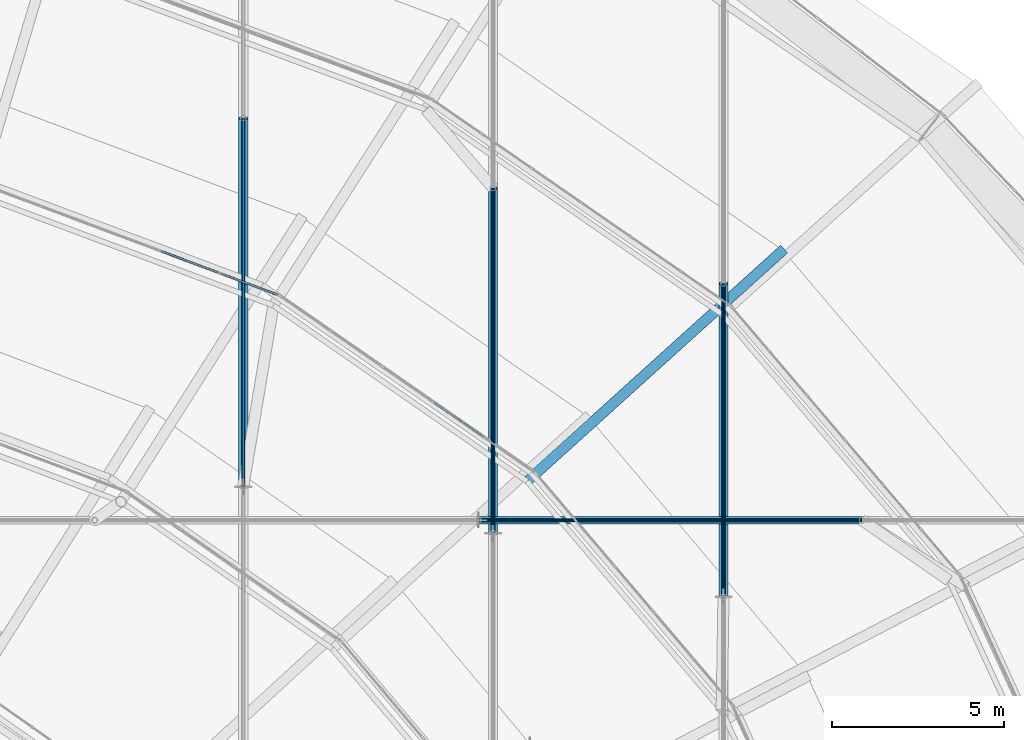
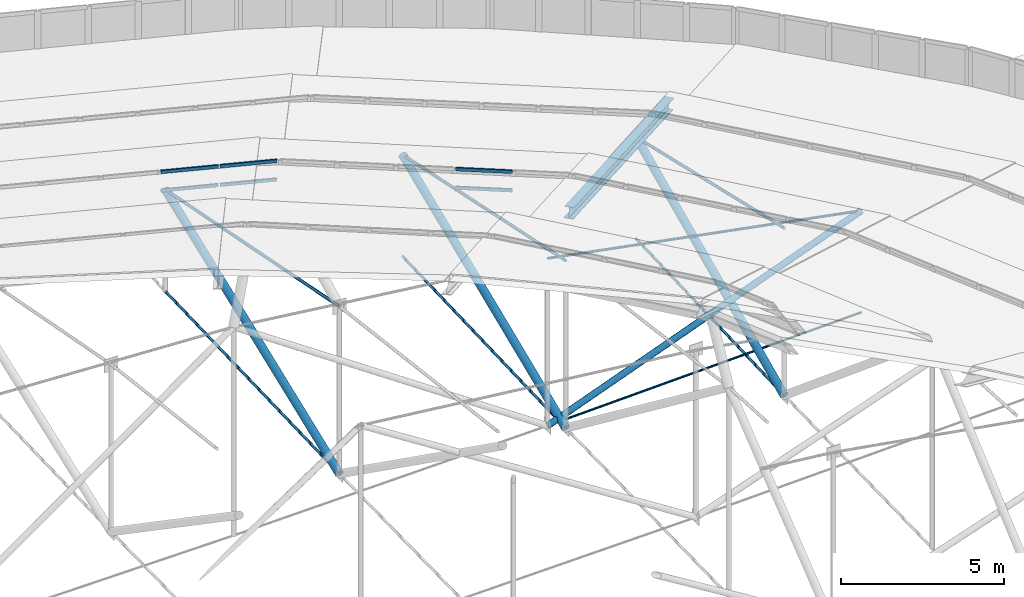
# One storey, part 118 of 173: 19 members, 2 elements without a shape of their own.
"""IFC4 building model written with IfcOpenShell, lengths in metres."""

from ifc_helpers import new_model, si_unit, direction, frame, origin, origin_2d, place, context, subcontext, project, spatial, rectangle, circle, hollow_circle, i_section, extrude, material, material_profile, profile_set, type_object, element, aggregate, save


model = new_model("IFC4")

# Units and contexts
model_context = context("Model", 3, precision=1e-05, world=origin(), true_north=direction((0.0, 1.0)))
body_context = subcontext(model_context, "Body", "Model", "MODEL_VIEW")
ifc_project = project(units=[si_unit("LENGTHUNIT", "METRE"), si_unit("AREAUNIT", "SQUARE_METRE"), si_unit("VOLUMEUNIT", "CUBIC_METRE"), si_unit("PLANEANGLEUNIT", "RADIAN"), si_unit("MASSUNIT", "GRAM", prefix="KILO")], contexts=[model_context])

# Site, building, storey
site_placement = place(None, origin())
site = spatial("IfcSite", under=ifc_project, at=site_placement, CompositionType="ELEMENT")
building_placement = place(site_placement, origin())
building = spatial("IfcBuilding", under=site, at=building_placement, Name="Glasvene Arena", CompositionType="ELEMENT")
storey_placement = place(building_placement, frame((0.0, 0.0, 28.800048828125)))
storey = spatial("IfcBuildingStorey", under=building, at=storey_placement, Name="RF", CompositionType="ELEMENT", Elevation=28.800048828125)

# Curtain wall, members
ifc_material_1 = material(Name="Low-emissivity laminated double glazing", Category="glass")
curtain_wall_type_1 = type_object("IfcCurtainWallType", Name="CW-PET2-905x75", PredefinedType="USERDEFINED", material=ifc_material_1)
curtain_wall_1_placement = place(storey_placement, frame((115.93505859375, 94.795654296875, 0.0)))
curtain_wall_1 = element("IfcCurtainWall", 1, at=curtain_wall_1_placement, inside=storey, type_object=curtain_wall_type_1, Name="Petal ring 2-3 clerestory curtain wall 04", ObjectType="CURTAIN WALL", PredefinedType="USERDEFINED")
ifc_material_2 = material(Name="Anodised architectural aluminium", Category="aluminium")
ifc_material_profile_1 = material_profile(ifc_material_2, rectangle(XDim=0.050048828125, YDim=0.1201171875, at=origin_2d()), Name="ALU TRANSOM 50x120")
ifc_profile_set_1 = profile_set([ifc_material_profile_1], Name="Anodised architectural aluminium")
member_type_1 = type_object("IfcMemberType", Name="CW-TRN-120", PredefinedType="USERDEFINED", material=ifc_profile_set_1)
member_1_placement = place(storey_placement, frame((114.427490234375, 95.84130859375, 5.204833984375), z_axis=(-0.821727354624, 0.569880824965, 0.0), x_axis=(-0.569880824965, -0.821727354624, 0.0)))
member_1 = element("IfcMember", 2, at=member_1_placement, type_object=member_type_1, Name="CW-090 transom 2.1", ObjectType="TRANSOM", PredefinedType="USERDEFINED", context=body_context, shape_type="SweptSolid", body=[
    extrude(rectangle(XDim=0.050048828125, YDim=0.1201171875, at=origin_2d()), origin(), (0.0, 0.0, 1.0), 1.759521484375),
])
member_2_placement = place(storey_placement, frame((114.427490234375, 95.84130859375, 5.905029296875), z_axis=(-0.821727354624, 0.569880824965, 0.0), x_axis=(-0.569880824965, -0.821727354624, 0.0)))
member_2 = element("IfcMember", 3, at=member_2_placement, type_object=member_type_1, Name="CW-090 transom 2.2", ObjectType="TRANSOM", PredefinedType="USERDEFINED", context=body_context, shape_type="SweptSolid", body=[
    extrude(rectangle(XDim=0.050048828125, YDim=0.1201171875, at=origin_2d()), origin(), (0.0, 0.0, 1.0), 1.759521484375),
])
aggregate(curtain_wall_1, [member_1, member_2])

curtain_wall_type_2 = type_object("IfcCurtainWallType", Name="CW-PET2-925x75", PredefinedType="USERDEFINED", material=ifc_material_1)
curtain_wall_2_placement = place(storey_placement, frame((108.5, 99.952392578125, 0.0)))
curtain_wall_2 = element("IfcCurtainWall", 4, at=curtain_wall_2_placement, inside=storey, type_object=curtain_wall_type_2, Name="Petal ring 2-3 clerestory curtain wall 05", ObjectType="CURTAIN WALL", PredefinedType="USERDEFINED")
member_3_placement = place(storey_placement, frame((108.453125, 99.969970703125, 5.204833984375), z_axis=(-0.936504385007, 0.350655866715, 0.0), x_axis=(-0.350655866715, -0.936504385007, 0.0)))
member_3 = element("IfcMember", 5, at=member_3_placement, type_object=member_type_1, Name="CW-091 transom 1.1", ObjectType="TRANSOM", PredefinedType="USERDEFINED", context=body_context, shape_type="SweptSolid", body=[
    extrude(rectangle(XDim=0.050048828125, YDim=0.1201171875, at=origin_2d()), origin(), (0.0, 0.0, 1.0), 1.77392578125),
])
member_4_placement = place(storey_placement, frame((108.453125, 99.969970703125, 5.905029296875), z_axis=(-0.936504385007, 0.350655866715, 0.0), x_axis=(-0.350655866715, -0.936504385007, 0.0)))
member_4 = element("IfcMember", 6, at=member_4_placement, type_object=member_type_1, Name="CW-091 transom 1.2", ObjectType="TRANSOM", PredefinedType="USERDEFINED", context=body_context, shape_type="SweptSolid", body=[
    extrude(rectangle(XDim=0.050048828125, YDim=0.1201171875, at=origin_2d()), origin(), (0.0, 0.0, 1.0), 1.77392578125),
])
member_5_placement = place(storey_placement, frame((106.744873046875, 100.609619140625, 5.204833984375), z_axis=(-0.936501948844, 0.350662372962, 0.0), x_axis=(-0.350662372962, -0.936501948844, 0.0)))
member_5 = element("IfcMember", 7, at=member_5_placement, type_object=member_type_1, Name="CW-091 transom 2.1", ObjectType="TRANSOM", PredefinedType="USERDEFINED", context=body_context, shape_type="SweptSolid", body=[
    extrude(rectangle(XDim=0.050048828125, YDim=0.1201171875, at=origin_2d()), origin(), (0.0, 0.0, 1.0), 1.799072265625),
])
member_6_placement = place(storey_placement, frame((106.744873046875, 100.609619140625, 5.905029296875), z_axis=(-0.936501948844, 0.350662372962, 0.0), x_axis=(-0.350662372962, -0.936501948844, 0.0)))
member_6 = element("IfcMember", 8, at=member_6_placement, type_object=member_type_1, Name="CW-091 transom 2.2", ObjectType="TRANSOM", PredefinedType="USERDEFINED", context=body_context, shape_type="SweptSolid", body=[
    extrude(rectangle(XDim=0.050048828125, YDim=0.1201171875, at=origin_2d()), origin(), (0.0, 0.0, 1.0), 1.799072265625),
])
aggregate(curtain_wall_2, [member_3, member_4, member_5, member_6])

# Members
ifc_material_3 = material(Name="High-strength steel spiral strand S460", Category="steel")
ifc_material_profile_2 = material_profile(ifc_material_3, circle(Radius=0.052490234375, at=origin_2d()), Name="LCSS D105")
ifc_profile_set_2 = profile_set([ifc_material_profile_2], Name="High-strength steel spiral strand S460")
member_type_2 = type_object("IfcMemberType", Name="MB-CABLE-105", PredefinedType="USERDEFINED", material=ifc_profile_set_2)
member_7_placement = place(storey_placement, frame((121.389404296875, 91.202880859375, 4.1669921875), z_axis=(0.0, 0.974258446429, -0.225433980496), x_axis=(-1.0, 0.0, 0.0)))
element("IfcMember", 9, at=member_7_placement, inside=storey, type_object=member_type_2, Name="Upper lens roof cable NS01-07", ObjectType="ROOF CABLE", PredefinedType="USERDEFINED", context=body_context, shape_type="SweptSolid", body=[
    extrude(circle(Radius=0.052490234375, at=origin_2d()), origin(), (0.0, 0.0, 1.0), 9.341796875),
])
member_8_placement = place(storey_placement, frame((114.699462890625, 93.047607421875, 4.1669921875), z_axis=(0.0, 0.978635179544, -0.205604439056), x_axis=(-1.0, 0.0, 0.0)))
element("IfcMember", 10, at=member_8_placement, inside=storey, type_object=member_type_2, Name="Upper lens roof cable NS02-07", ObjectType="ROOF CABLE", PredefinedType="USERDEFINED", context=body_context, shape_type="SweptSolid", body=[
    extrude(circle(Radius=0.052490234375, at=origin_2d()), origin(), (0.0, 0.0, 1.0), 10.24267578125),
])
member_9_placement = place(storey_placement, frame((107.45068359375, 94.398681640625, 4.1669921875), z_axis=(0.0, 0.981174571023, -0.193122917277), x_axis=(-1.0, 0.0, 0.0)))
element("IfcMember", 11, at=member_9_placement, inside=storey, type_object=member_type_2, Name="Upper lens roof cable NS03-07", ObjectType="ROOF CABLE", PredefinedType="USERDEFINED", context=body_context, shape_type="SweptSolid", body=[
    extrude(circle(Radius=0.052490234375, at=origin_2d()), origin(), (0.0, 0.0, 1.0), 10.90478515625),
])
ifc_material_profile_3 = material_profile(ifc_material_3, circle(Radius=0.03759765625, at=origin_2d()), Name="LCSS D75")
ifc_profile_set_3 = profile_set([ifc_material_profile_3], Name="High-strength steel spiral strand S460")
member_type_3 = type_object("IfcMemberType", Name="MB-CABLE-75", PredefinedType="USERDEFINED", material=ifc_profile_set_3)
member_10_placement = place(storey_placement, frame((114.275146484375, 93.4296875, -2.112548828125), z_axis=(0.999479818226, 0.0, 0.032250472225), x_axis=(0.0, 1.0, 0.0)))
element("IfcMember", 12, at=member_10_placement, inside=storey, type_object=member_type_3, Name="Lower stabilization roof cable EW07-07", ObjectType="ROOF CABLE", PredefinedType="USERDEFINED", context=body_context, shape_type="SweptSolid", body=[
    extrude(circle(Radius=0.03759765625, at=origin_2d()), origin(), (0.0, 0.0, 1.0), 11.143310546875),
])
ifc_material_profile_4 = material_profile(ifc_material_3, circle(Radius=0.044921875, at=origin_2d()), Name="LCSS D90")
ifc_profile_set_4 = profile_set([ifc_material_profile_4], Name="High-strength steel spiral strand S460")
member_type_4 = type_object("IfcMemberType", Name="MB-CABLE-90", PredefinedType="USERDEFINED", material=ifc_profile_set_4)
member_11_placement = place(storey_placement, frame((121.389404296875, 91.202880859375, -2.112548828125), z_axis=(0.0, 0.999221336832, 0.039455291392), x_axis=(-1.0, 0.0, 0.0)))
element("IfcMember", 13, at=member_11_placement, inside=storey, type_object=member_type_4, Name="Lower stabilization roof cable NS01-07", ObjectType="ROOF CABLE", PredefinedType="USERDEFINED", context=body_context, shape_type="SweptSolid", body=[
    extrude(circle(Radius=0.044921875, at=origin_2d()), origin(), (0.0, 0.0, 1.0), 9.1083984375),
])
member_12_placement = place(storey_placement, frame((114.699462890625, 93.047607421875, -2.112548828125), z_axis=(0.0, 0.999357945896, 0.035828703209), x_axis=(-1.0, 0.0, 0.0)))
element("IfcMember", 14, at=member_12_placement, inside=storey, type_object=member_type_4, Name="Lower stabilization roof cable NS02-07", ObjectType="ROOF CABLE", PredefinedType="USERDEFINED", context=body_context, shape_type="SweptSolid", body=[
    extrude(circle(Radius=0.044921875, at=origin_2d()), origin(), (0.0, 0.0, 1.0), 10.0302734375),
])
member_13_placement = place(storey_placement, frame((107.45068359375, 94.398681640625, -2.112548828125), z_axis=(0.0, 0.99943639544, 0.033569204201), x_axis=(-1.0, 0.0, 0.0)))
element("IfcMember", 15, at=member_13_placement, inside=storey, type_object=member_type_4, Name="Lower stabilization roof cable NS03-07", ObjectType="ROOF CABLE", PredefinedType="USERDEFINED", context=body_context, shape_type="SweptSolid", body=[
    extrude(circle(Radius=0.044921875, at=origin_2d()), origin(), (0.0, 0.0, 1.0), 10.70556640625),
])
member_14_placement = place(storey_placement, frame((114.275146484375, 93.4296875, 4.1669921875), z_axis=(0.982588423087, 0.0, -0.185795561883), x_axis=(0.0, 1.0, 0.0)))
element("IfcMember", 16, at=member_14_placement, inside=storey, type_object=member_type_4, Name="Upper lens roof cable EW07-07", ObjectType="ROOF CABLE", PredefinedType="USERDEFINED", context=body_context, shape_type="SweptSolid", body=[
    extrude(circle(Radius=0.044921875, at=origin_2d()), origin(), (0.0, 0.0, 1.0), 11.334716796875),
])
ifc_material_4 = material(Name="Steel S355J2", Category="steel")
ifc_material_profile_5 = material_profile(ifc_material_4, i_section(OverallWidth=0.300048828125, OverallDepth=0.39990234375, WebThickness=0.013427734375, FlangeThickness=0.02392578125, FilletRadius=0.027099609375, at=origin_2d()), Name="HEB 400")
ifc_profile_set_5 = profile_set([ifc_material_profile_5], Name="Steel S355J2")
member_type_5 = type_object("IfcMemberType", Name="MB-CHORD-HEB400", PredefinedType="CHORD", material=ifc_profile_set_5)
member_15_placement = place(storey_placement, frame((123.1123046875, 101.265625, 2.14990234375), z_axis=(-0.719067246993, -0.649574673947, 0.246971733743), x_axis=(0.670340007985, -0.742054090814, 0.0)))
element("IfcMember", 17, at=member_15_placement, inside=storey, type_object=member_type_5, Name="Petal ring 2 radial rib 04", PredefinedType="CHORD", context=body_context, shape_type="SweptSolid", body=[
    extrude(i_section(OverallWidth=0.300048828125, OverallDepth=0.39990234375, WebThickness=0.013427734375, FlangeThickness=0.02392578125, FilletRadius=0.027099609375, at=origin_2d()), origin(), (0.0, 0.0, 1.0), 10.3251953125),
])
ifc_material_profile_6 = material_profile(ifc_material_4, hollow_circle(Radius=0.109619140625, WallThickness=0.010009765625, at=origin_2d()), Name="CHS 219.1x10.0")
ifc_profile_set_6 = profile_set([ifc_material_profile_6], Name="Steel S355J2")
member_type_6 = type_object("IfcMemberType", Name="MB-WEB-CHS219", PredefinedType="BRACE", material=ifc_profile_set_6)
member_16_placement = place(storey_placement, frame((114.275146484375, 93.4296875, -2.112548828125), z_axis=(0.936410978058, 0.0, 0.350905229617), x_axis=(0.0, 1.0, 0.0)))
element("IfcMember", 18, at=member_16_placement, inside=storey, type_object=member_type_6, Name="Cable-truss diagonal web strut EW07-07", PredefinedType="BRACE", context=body_context, shape_type="SweptSolid", body=[
    extrude(hollow_circle(Radius=0.109619140625, WallThickness=0.010009765625, at=origin_2d()), origin(), (0.0, 0.0, 1.0), 11.893798828125),
])
ifc_material_profile_7 = material_profile(ifc_material_4, hollow_circle(Radius=0.136474609375, WallThickness=0.012451171875, at=origin_2d()), Name="CHS 273.0x12.5")
ifc_profile_set_7 = profile_set([ifc_material_profile_7], Name="Steel S355J2")
member_type_7 = type_object("IfcMemberType", Name="MB-WEB-CHS273", PredefinedType="BRACE", material=ifc_profile_set_7)
member_17_placement = place(storey_placement, frame((121.389404296875, 91.202880859375, -2.112548828125), z_axis=(0.0, 0.908983609721, 0.416831857297), x_axis=(-1.0, 0.0, 0.0)))
element("IfcMember", 19, at=member_17_placement, inside=storey, type_object=member_type_7, Name="Cable-truss diagonal web strut NS01-07", PredefinedType="BRACE", context=body_context, shape_type="SweptSolid", body=[
    extrude(hollow_circle(Radius=0.136474609375, WallThickness=0.012451171875, at=origin_2d()), origin(), (0.0, 0.0, 1.0), 10.0126953125),
])
member_18_placement = place(storey_placement, frame((114.699462890625, 93.047607421875, -2.112548828125), z_axis=(0.0, 0.923176676168, 0.384375889695), x_axis=(-1.0, 0.0, 0.0)))
element("IfcMember", 20, at=member_18_placement, inside=storey, type_object=member_type_7, Name="Cable-truss diagonal web strut NS02-07", PredefinedType="BRACE", context=body_context, shape_type="SweptSolid", body=[
    extrude(hollow_circle(Radius=0.136474609375, WallThickness=0.012451171875, at=origin_2d()), origin(), (0.0, 0.0, 1.0), 10.858154296875),
])
member_19_placement = place(storey_placement, frame((107.45068359375, 94.398681640625, -2.112548828125), z_axis=(0.0, 0.931631165888, 0.363405243146), x_axis=(-1.0, 0.0, 0.0)))
element("IfcMember", 21, at=member_19_placement, inside=storey, type_object=member_type_7, Name="Cable-truss diagonal web strut NS03-07", PredefinedType="BRACE", context=body_context, shape_type="SweptSolid", body=[
    extrude(hollow_circle(Radius=0.136474609375, WallThickness=0.012451171875, at=origin_2d()), origin(), (0.0, 0.0, 1.0), 11.484619140625),
])

save(model, "model.ifc")
